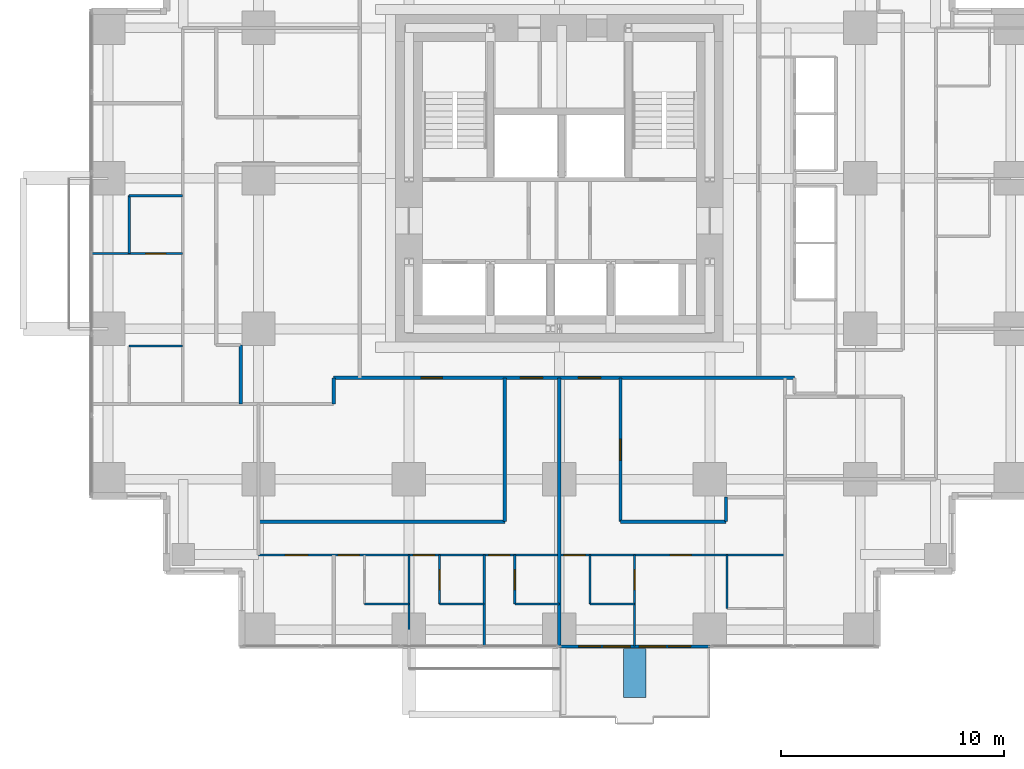
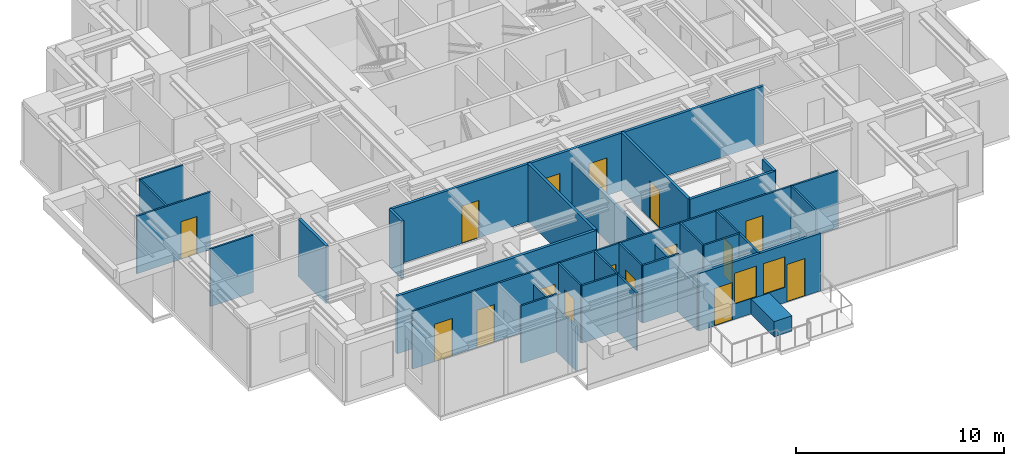
# One storey, part 7 of 12: 27 walls, 16 doors, 2 windows, 18 openings.
"""IFC4 building model written with IfcOpenShell, lengths in metres."""

import ifcopenshell
import ifcopenshell.guid

model = None  # the IFC model being written
_history = None  # IfcOwnerHistory: only IFC2X3 demands one
_inside = {}  # id of a spatial element -> (the spatial element, [elements in it])
_under = {}  # id of a project, library or spatial element -> (it, [spatial elements below it])
_declared = {}  # id of a project -> (the project, [libraries it declares])
_typed = {}  # id of a type object -> (the type object, [elements of that type])
_made_of = {}  # id of a material, layer set ... -> (it, [elements and type objects made of it])


def new_model(schema):
    """Start an empty IFC model of exactly this schema.

    Asked for "IFC4X3", IfcOpenShell would pick the latest addendum, in which some entities
    have other attributes; the version numbers below select the first issue.
    IFC2X3 requires an IfcOwnerHistory on every rooted entity: one is made here for all.
    """
    global model, _history
    if schema == "IFC4X3":
        model = ifcopenshell.file(schema_version=(4, 3, 0, 0))
    else:
        model = ifcopenshell.file(schema=schema)
    _inside.clear()
    _under.clear()
    _declared.clear()
    _typed.clear()
    _made_of.clear()
    _history = None
    if model.schema == "IFC2X3":
        org = make("IfcOrganization", Name="unknown")
        user = make(
            "IfcPersonAndOrganization",
            ThePerson=make("IfcPerson", FamilyName="unknown"),
            TheOrganization=org,
        )
        app = make(
            "IfcApplication",
            ApplicationDeveloper=org,
            Version="unknown",
            ApplicationFullName="unknown",
            ApplicationIdentifier="unknown",
        )
        _history = make(
            "IfcOwnerHistory",
            OwningUser=user,
            OwningApplication=app,
            ChangeAction="ADDED",
            CreationDate=0,
        )
    return model


def make(cls, **values):
    """One entity of the class cls with the attributes given. An attribute that is None is left unset."""
    return model.create_entity(
        cls, **{name: value for name, value in values.items() if value is not None}
    )


def rooted(cls, **values):
    """An entity with a GlobalId (a new one), such as an element, a storey or a relation."""
    return make(cls, GlobalId=ifcopenshell.guid.new(), OwnerHistory=_history, **values)


def si_unit(unit_type, name, prefix=None):
    """IfcSIUnit, for example si_unit("LENGTHUNIT", "METRE", prefix="MILLI")."""
    return make("IfcSIUnit", UnitType=unit_type, Prefix=prefix, Name=name)


def assignment(units):
    """IfcUnitAssignment: the units of a project."""
    return None if units is None else make("IfcUnitAssignment", Units=units)


def point(xyz):
    """IfcCartesianPoint."""
    return None if xyz is None else make("IfcCartesianPoint", Coordinates=xyz)


def direction(xyz):
    """IfcDirection."""
    return None if xyz is None else make("IfcDirection", DirectionRatios=xyz)


def frame(location, z_axis=None, x_axis=None):
    """IfcAxis2Placement3D, a coordinate frame: its origin and axes. An axis left out is left unset."""
    return make(
        "IfcAxis2Placement3D",
        Location=point(location),
        Axis=direction(z_axis),
        RefDirection=direction(x_axis),
    )


def frame_2d(location, x_axis=None):
    """IfcAxis2Placement2D, a coordinate frame in the plane: its origin and x axis."""
    return make(
        "IfcAxis2Placement2D", Location=point(location), RefDirection=direction(x_axis)
    )


def origin():
    """The frame at (0, 0, 0) with its axes left unset."""
    return frame((0.0, 0.0, 0.0))


def place(relative_to, where):
    """IfcLocalPlacement: puts the frame where relative to a parent placement (None: the world)."""
    return make(
        "IfcLocalPlacement", PlacementRelTo=relative_to, RelativePlacement=where
    )


def context(
    kind, dimensions, precision=None, world=None, true_north=None, identifier=None
):
    """IfcGeometricRepresentationContext, for example the 3D "Model" context."""
    return make(
        "IfcGeometricRepresentationContext",
        ContextIdentifier=identifier,
        ContextType=kind,
        CoordinateSpaceDimension=dimensions,
        Precision=precision,
        WorldCoordinateSystem=world,
        TrueNorth=true_north,
    )


def subcontext(parent, identifier, kind, view, scale=None):
    """IfcGeometricRepresentationSubContext, for example "Body" below "Model"."""
    return make(
        "IfcGeometricRepresentationSubContext",
        ContextIdentifier=identifier,
        ContextType=kind,
        ParentContext=parent,
        TargetScale=scale,
        TargetView=view,
    )


def project(units=None, contexts=None):
    """IfcProject with its units and contexts."""
    return rooted(
        "IfcProject",
        Name="project",
        RepresentationContexts=contexts,
        UnitsInContext=assignment(units),
    )


def spatial(cls, under=None, at=None, **own):
    """A site, building, storey or space (cls), placed at a placement, below another one or the project."""
    s = rooted(cls, ObjectPlacement=at, **own)
    if under is not None:
        _under.setdefault(under.id(), (under, []))[1].append(s)
    return s


def profile(cls, at=None, kind="AREA", **sizes):
    """A parametric profile (cls). Its sizes go by their IFC names, for example OverallWidth=200.0."""
    return make(cls, ProfileType=kind, Position=at, **sizes)


def rectangle(**sizes):
    """IfcRectangleProfileDef."""
    return profile("IfcRectangleProfileDef", **sizes)


def extrude(swept, where, along, depth):
    """IfcExtrudedAreaSolid: the profile swept, set in the frame where, extruded along a direction by depth."""
    return make(
        "IfcExtrudedAreaSolid",
        SweptArea=swept,
        Position=where,
        ExtrudedDirection=direction(along),
        Depth=depth,
    )


def shape(context_of_items, identifier, shape_type, items):
    """IfcShapeRepresentation: the items that make up one representation, for example the "Body"."""
    return make(
        "IfcShapeRepresentation",
        ContextOfItems=context_of_items,
        RepresentationIdentifier=identifier,
        RepresentationType=shape_type,
        Items=items,
    )


def material(Name=None, Category=None):
    """IfcMaterial."""
    return make("IfcMaterial", Name=Name, Category=Category)


def layer(
    of_material, thickness, ventilated=None, Name=None, Category=None, Priority=None
):
    """IfcMaterialLayer: one layer of a wall or slab, of a material (None: an air gap)."""
    return make(
        "IfcMaterialLayer",
        Material=of_material,
        LayerThickness=thickness,
        IsVentilated=ventilated,
        Name=Name,
        Category=Category,
        Priority=Priority,
    )


def layer_set(layers, Name=None):
    """IfcMaterialLayerSet."""
    return make("IfcMaterialLayerSet", MaterialLayers=layers, LayerSetName=Name)


def made_of(thing, what):
    """Note that an element or type object is made of a material, layer set ...; save() writes the relation."""
    if what is not None:
        _made_of.setdefault(what.id(), (what, []))[1].append(thing)
    return thing


def type_object(cls, material=None, **own):
    """A type object (cls), such as IfcWallType, which elements share."""
    return made_of(rooted(cls, **own), material)


def element(
    cls,
    number,
    at=None,
    inside=None,
    cuts=None,
    type_object=None,
    material=None,
    context=None,
    identifier="Body",
    shape_type=None,
    held_by="IfcProductDefinitionShape",
    body=None,
    shapes=None,
    **own,
):
    """One element of the class cls, such as IfcWall. Its Tag is "e" and its number.

    at: its placement. inside: the storey or other place that contains it. cuts: it is an
    opening in that element (IfcRelVoidsElement). A single representation is given by context,
    identifier, shape_type and body (its items); several are given by shapes. held_by: the class
    of the entity that holds the representations. save() writes the other relations.
    """
    e = rooted(cls, Tag="e%d" % number, ObjectPlacement=at, **own)
    if body is not None:
        shapes = [shape(context, identifier, shape_type, body)]
    if shapes is not None:
        e.Representation = make(held_by, Representations=shapes)
    if inside is not None:
        _inside.setdefault(inside.id(), (inside, []))[1].append(e)
    if cuts is not None:
        rooted(
            "IfcRelVoidsElement", RelatingBuildingElement=cuts, RelatedOpeningElement=e
        )
    if type_object is not None:
        _typed.setdefault(type_object.id(), (type_object, []))[1].append(e)
    return made_of(e, material)


def fill(opening, filler):
    """IfcRelFillsElement: the door or window that sits in an opening."""
    return rooted(
        "IfcRelFillsElement",
        RelatingOpeningElement=opening,
        RelatedBuildingElement=filler,
    )


def aggregate(whole, parts):
    """IfcRelAggregates: a whole, such as a stair, and the parts it consists of."""
    return rooted("IfcRelAggregates", RelatingObject=whole, RelatedObjects=parts)


def save(model, path):
    """Write the relations noted so far, then the file.

    IfcRelAggregates (storeys below a building ...), IfcRelContainedInSpatialStructure (elements
    in a storey), IfcRelDefinesByType, IfcRelAssociatesMaterial and IfcRelDeclares: one each for
    every whole, place, type object, material and project.
    """
    for whole, parts in _under.values():
        aggregate(whole, parts)
    for where, things in _inside.values():
        rooted(
            "IfcRelContainedInSpatialStructure",
            RelatedElements=things,
            RelatingStructure=where,
        )
    for kind, things in _typed.values():
        rooted("IfcRelDefinesByType", RelatedObjects=things, RelatingType=kind)
    for what, things in _made_of.values():
        rooted("IfcRelAssociatesMaterial", RelatedObjects=things, RelatingMaterial=what)
    for by, libraries in _declared.values():
        rooted("IfcRelDeclares", RelatingContext=by, RelatedDefinitions=libraries)
    model.write(path)


model = new_model("IFC4")

# Units and contexts
model_context = context("Model", 3, precision=1e-05, world=origin(), true_north=direction((0.0, 1.0)))
body_context = subcontext(model_context, "Body", "Model", "MODEL_VIEW")
ifc_project = project(units=[si_unit("LENGTHUNIT", "METRE"), si_unit("AREAUNIT", "SQUARE_METRE"), si_unit("VOLUMEUNIT", "CUBIC_METRE"), si_unit("PLANEANGLEUNIT", "RADIAN"), si_unit("MASSUNIT", "GRAM", prefix="KILO")], contexts=[model_context])

# Site, building, storey
site_placement = place(None, origin())
site = spatial("IfcSite", under=ifc_project, at=site_placement, CompositionType="ELEMENT")
building_placement = place(site_placement, origin())
building = spatial("IfcBuilding", under=site, at=building_placement, Name="Nyansa Garden Tower", CompositionType="ELEMENT")
storey_placement = place(building_placement, frame((0.0, 0.0, 119.699951171875)))
storey = spatial("IfcBuildingStorey", under=building, at=storey_placement, Name="L32", CompositionType="ELEMENT", Elevation=119.699951171875)

# Wall, openings, doors, windows
ifc_material_1 = material(Name="Black aluminium framed glazed screen", Category="aluminium")
ifc_layer_1 = layer(ifc_material_1, 0.14990234375)
ifc_layer_set_1 = layer_set([ifc_layer_1], Name="Balcony screen wall BW150")
wall_type_1 = type_object("IfcWallType", Name="Balcony screen wall BW150", PredefinedType="SOLIDWALL", material=ifc_layer_set_1)
wall_1_placement = place(storey_placement, frame((27.0, -0.75, 0.0), z_axis=(0.0, 0.0, 1.0), x_axis=(-1.0, 0.0, 0.0)))
wall_1 = element("IfcWall", 1, at=wall_1_placement, inside=storey, type_object=wall_type_1, Name="Glazed screen wall L32 S", PredefinedType="SOLIDWALL", context=body_context, shape_type="SweptSolid", body=[
    extrude(rectangle(XDim=6.75, YDim=0.14990234375, at=frame_2d((3.375, 0.0))), origin(), (0.0, 0.0, 1.0), 3.375),
])
opening_1_placement = place(wall_1_placement, frame((0.862548828125, 0.0, 0.0)))
opening_1 = element("IfcOpeningElement", 2, at=opening_1_placement, cuts=wall_1, Name="Opening D20", PredefinedType="OPENING", context=body_context, shape_type="SweptSolid", body=[
    extrude(rectangle(XDim=1.0, YDim=2.199951171875, at=frame_2d((0.5, 1.10009765625))), frame((0.0, 0.0849609375, 0.0), z_axis=(0.0, -1.0, 0.0), x_axis=(1.0, 0.0, 0.0)), (0.0, 0.0, 1.0), 0.169921875),
])
opening_2_placement = place(wall_1_placement, frame((1.97509765625, 0.0, 0.89990234375)))
opening_2 = element("IfcOpeningElement", 3, at=opening_2_placement, cuts=wall_1, Name="Opening W6", PredefinedType="OPENING", context=body_context, shape_type="SweptSolid", body=[
    extrude(rectangle(XDim=1.199951171875, YDim=1.800048828125, at=frame_2d((0.60009765625, 0.89990234375))), frame((0.0, 0.0849609375, 0.0), z_axis=(0.0, -1.0, 0.0), x_axis=(1.0, 0.0, 0.0)), (0.0, 0.0, 1.0), 0.169921875),
])
opening_3_placement = place(wall_1_placement, frame((4.887451171875, 0.0, 0.0)))
opening_3 = element("IfcOpeningElement", 4, at=opening_3_placement, cuts=wall_1, Name="Opening D20", PredefinedType="OPENING", context=body_context, shape_type="SweptSolid", body=[
    extrude(rectangle(XDim=1.0, YDim=2.199951171875, at=frame_2d((0.5, 1.10009765625))), frame((0.0, 0.0849609375, 0.0), z_axis=(0.0, -1.0, 0.0), x_axis=(1.0, 0.0, 0.0)), (0.0, 0.0, 1.0), 0.169921875),
])
opening_4_placement = place(wall_1_placement, frame((3.574951171875, 0.0, 0.89990234375)))
opening_4 = element("IfcOpeningElement", 5, at=opening_4_placement, cuts=wall_1, Name="Opening W6", PredefinedType="OPENING", context=body_context, shape_type="SweptSolid", body=[
    extrude(rectangle(XDim=1.199951171875, YDim=1.800048828125, at=frame_2d((0.60009765625, 0.89990234375))), frame((0.0, 0.0849609375, 0.0), z_axis=(0.0, -1.0, 0.0), x_axis=(1.0, 0.0, 0.0)), (0.0, 0.0, 1.0), 0.169921875),
])
ifc_material_2 = material(Name="Black aluminium framed glazed door", Category="aluminium")
door_type_1 = type_object("IfcDoorType", Name="Balcony door D20 1000x2200", OperationType="NOTDEFINED", PredefinedType="DOOR", material=ifc_material_2)
door_1_placement = place(opening_1_placement, origin())
door_1 = element("IfcDoor", 6, at=door_1_placement, inside=storey, type_object=door_type_1, Name="Balcony door L32", OperationType="SINGLE_SWING_LEFT", OverallHeight=2.199951171875, OverallWidth=1.0, PredefinedType="DOOR", context=body_context, shape_type="SweptSolid", body=[
    extrude(rectangle(XDim=1.0, YDim=2.199951171875, at=frame_2d((0.5, 1.10009765625))), frame((0.0, 0.02490234375, 0.0), z_axis=(0.0, -1.0, 0.0), x_axis=(1.0, 0.0, 0.0)), (0.0, 0.0, 1.0), 0.050048828125),
])
fill(opening_1, door_1)
door_2_placement = place(opening_3_placement, origin())
door_2 = element("IfcDoor", 7, at=door_2_placement, inside=storey, type_object=door_type_1, Name="Balcony door L32", OperationType="SINGLE_SWING_RIGHT", OverallHeight=2.199951171875, OverallWidth=1.0, PredefinedType="DOOR", context=body_context, shape_type="SweptSolid", body=[
    extrude(rectangle(XDim=1.0, YDim=2.199951171875, at=frame_2d((0.5, 1.10009765625))), frame((0.0, 0.02490234375, 0.0), z_axis=(0.0, -1.0, 0.0), x_axis=(1.0, 0.0, 0.0)), (0.0, 0.0, 1.0), 0.050048828125),
])
fill(opening_3, door_2)
ifc_material_3 = material(Name="Black aluminium frame, dark tinted double glazing", Category="aluminium")
window_type = type_object("IfcWindowType", Name="Balcony window W6 1200x1800", PartitioningType="SINGLE_PANEL", PredefinedType="WINDOW", material=ifc_material_3)
window_1_placement = place(opening_2_placement, origin())
window_1 = element("IfcWindow", 8, at=window_1_placement, inside=storey, type_object=window_type, Name="Window L32", OverallHeight=1.800048828125, OverallWidth=1.199951171875, PartitioningType="SINGLE_PANEL", PredefinedType="WINDOW", context=body_context, shape_type="SweptSolid", body=[
    extrude(rectangle(XDim=1.199951171875, YDim=1.800048828125, at=frame_2d((0.60009765625, 0.89990234375))), frame((0.0, 0.030029296875, 0.0), z_axis=(0.0, -1.0, 0.0), x_axis=(1.0, 0.0, 0.0)), (0.0, 0.0, 1.0), 0.06005859375),
])
fill(opening_2, window_1)
window_2_placement = place(opening_4_placement, origin())
window_2 = element("IfcWindow", 9, at=window_2_placement, inside=storey, type_object=window_type, Name="Window L32", OverallHeight=1.800048828125, OverallWidth=1.199951171875, PartitioningType="SINGLE_PANEL", PredefinedType="WINDOW", context=body_context, shape_type="SweptSolid", body=[
    extrude(rectangle(XDim=1.199951171875, YDim=1.800048828125, at=frame_2d((0.60009765625, 0.89990234375))), frame((0.0, 0.030029296875, 0.0), z_axis=(0.0, -1.0, 0.0), x_axis=(1.0, 0.0, 0.0)), (0.0, 0.0, 1.0), 0.06005859375),
])
fill(opening_4, window_2)

# Walls
ifc_material_4 = material(Name="Blockwork, plastered both sides", Category="masonry")
ifc_layer_2 = layer(ifc_material_4, 0.14990234375)
ifc_layer_set_2 = layer_set([ifc_layer_2], Name="Partition PW150")
wall_type_2 = type_object("IfcWallType", Name="Partition PW150", PredefinedType="PARTITIONING", material=ifc_layer_set_2)
wall_2_placement = place(storey_placement, frame((5.949951171875, 10.125, 0.0), z_axis=(0.0, 0.0, 1.0), x_axis=(0.0, 1.0, 0.0)))
element("IfcWall", 10, at=wall_2_placement, inside=storey, type_object=wall_type_2, Name="Partition", PredefinedType="PARTITIONING", context=body_context, shape_type="SweptSolid", body=[
    extrude(rectangle(XDim=2.64990234375, YDim=0.14990234375, at=frame_2d((1.324951171875, 0.0))), origin(), (0.0, 0.0, 1.0), 3.375),
])
wall_3_placement = place(storey_placement, frame((6.75, 4.85009765625, 0.0), z_axis=(0.0, 0.0, 1.0), x_axis=(1.0, 0.0, 0.0)))
element("IfcWall", 11, at=wall_3_placement, inside=storey, type_object=wall_type_2, Name="Partition", PredefinedType="PARTITIONING", context=body_context, shape_type="SweptSolid", body=[
    extrude(rectangle(XDim=11.050048828125, YDim=0.14990234375, at=frame_2d((5.52490234375, 0.0))), origin(), (0.0, 0.0, 1.0), 3.375),
])
wall_4_placement = place(storey_placement, frame((10.125, 10.125, 0.0), z_axis=(0.0, 0.0, 1.0), x_axis=(0.0, 1.0, 0.0)))
element("IfcWall", 12, at=wall_4_placement, inside=storey, type_object=wall_type_2, Name="Partition", PredefinedType="PARTITIONING", context=body_context, shape_type="SweptSolid", body=[
    extrude(rectangle(XDim=1.175048828125, YDim=0.14990234375, at=frame_2d((0.58740234375, 0.0))), origin(), (0.0, 0.0, 1.0), 3.375),
])

# Wall, openings, doors
wall_5_placement = place(storey_placement, frame((10.125, 11.300048828125, 0.0), z_axis=(0.0, 0.0, 1.0), x_axis=(1.0, 0.0, 0.0)))
wall_5 = element("IfcWall", 13, at=wall_5_placement, inside=storey, type_object=wall_type_2, Name="Partition", PredefinedType="PARTITIONING", context=body_context, shape_type="SweptSolid", body=[
    extrude(rectangle(XDim=20.675048828125, YDim=0.14990234375, at=frame_2d((10.33740234375, 0.0))), origin(), (0.0, 0.0, 1.0), 3.375),
])
opening_5_placement = place(wall_5_placement, frame((8.375, 0.0, 0.0)))
opening_5 = element("IfcOpeningElement", 14, at=opening_5_placement, cuts=wall_5, Name="Opening D03", PredefinedType="OPENING", context=body_context, shape_type="SweptSolid", body=[
    extrude(rectangle(XDim=1.0, YDim=2.199951171875, at=frame_2d((0.5, 1.10009765625))), frame((0.0, 0.0849609375, 0.0), z_axis=(0.0, -1.0, 0.0), x_axis=(1.0, 0.0, 0.0)), (0.0, 0.0, 1.0), 0.169921875),
])
opening_6_placement = place(wall_5_placement, frame((10.97509765625, 0.0, 0.0)))
opening_6 = element("IfcOpeningElement", 15, at=opening_6_placement, cuts=wall_5, Name="Opening D03", PredefinedType="OPENING", context=body_context, shape_type="SweptSolid", body=[
    extrude(rectangle(XDim=1.0, YDim=2.199951171875, at=frame_2d((0.5, 1.10009765625))), frame((0.0, 0.0849609375, 0.0), z_axis=(0.0, -1.0, 0.0), x_axis=(1.0, 0.0, 0.0)), (0.0, 0.0, 1.0), 0.169921875),
])
opening_7_placement = place(wall_5_placement, frame((3.925048828125, 0.0, 0.0)))
opening_7 = element("IfcOpeningElement", 16, at=opening_7_placement, cuts=wall_5, Name="Opening D01", PredefinedType="OPENING", context=body_context, shape_type="SweptSolid", body=[
    extrude(rectangle(XDim=0.949951171875, YDim=2.199951171875, at=frame_2d((0.47509765625, 1.10009765625))), frame((0.0, 0.0849609375, 0.0), z_axis=(0.0, -1.0, 0.0), x_axis=(1.0, 0.0, 0.0)), (0.0, 0.0, 1.0), 0.169921875),
])
ifc_material_5 = material(Name="Timber flush door, 30 minute fire resisting", Category="wood")
door_type_2 = type_object("IfcDoorType", Name="Bedroom door D01 950x2200", OperationType="SINGLE_SWING_LEFT", PredefinedType="DOOR", material=ifc_material_5)
door_3_placement = place(opening_7_placement, origin())
door_3 = element("IfcDoor", 17, at=door_3_placement, inside=storey, type_object=door_type_2, Name="Door L32-030", OperationType="SINGLE_SWING_LEFT", OverallHeight=2.199951171875, OverallWidth=0.949951171875, PredefinedType="DOOR", context=body_context, shape_type="SweptSolid", body=[
    extrude(rectangle(XDim=0.949951171875, YDim=2.199951171875, at=frame_2d((0.47509765625, 1.10009765625))), frame((0.0, 0.02490234375, 0.0), z_axis=(0.0, -1.0, 0.0), x_axis=(1.0, 0.0, 0.0)), (0.0, 0.0, 1.0), 0.050048828125),
])
fill(opening_7, door_3)
ifc_material_6 = material(Name="Timber flush door, 60 minute fire resisting", Category="wood")
door_type_3 = type_object("IfcDoorType", Name="Cluster entrance door D03 1000x2200", OperationType="SINGLE_SWING_LEFT", PredefinedType="DOOR", material=ifc_material_6)
door_4_placement = place(opening_5_placement, origin())
door_4 = element("IfcDoor", 18, at=door_4_placement, inside=storey, type_object=door_type_3, Name="Door L32-024", OperationType="SINGLE_SWING_LEFT", OverallHeight=2.199951171875, OverallWidth=1.0, PredefinedType="DOOR", context=body_context, shape_type="SweptSolid", body=[
    extrude(rectangle(XDim=1.0, YDim=2.199951171875, at=frame_2d((0.5, 1.10009765625))), frame((0.0, 0.02490234375, 0.0), z_axis=(0.0, -1.0, 0.0), x_axis=(1.0, 0.0, 0.0)), (0.0, 0.0, 1.0), 0.050048828125),
])
fill(opening_5, door_4)
door_5_placement = place(opening_6_placement, origin())
door_5 = element("IfcDoor", 19, at=door_5_placement, inside=storey, type_object=door_type_3, Name="Door L32-029", OperationType="SINGLE_SWING_LEFT", OverallHeight=2.199951171875, OverallWidth=1.0, PredefinedType="DOOR", context=body_context, shape_type="SweptSolid", body=[
    extrude(rectangle(XDim=1.0, YDim=2.199951171875, at=frame_2d((0.5, 1.10009765625))), frame((0.0, 0.02490234375, 0.0), z_axis=(0.0, -1.0, 0.0), x_axis=(1.0, 0.0, 0.0)), (0.0, 0.0, 1.0), 0.050048828125),
])
fill(opening_6, door_5)

# Walls
wall_6_placement = place(storey_placement, frame((17.800048828125, 4.85009765625, 0.0), z_axis=(0.0, 0.0, 1.0), x_axis=(0.0, 1.0, 0.0)))
element("IfcWall", 20, at=wall_6_placement, inside=storey, type_object=wall_type_2, Name="Partition", PredefinedType="PARTITIONING", context=body_context, shape_type="SweptSolid", body=[
    extrude(rectangle(XDim=6.449951171875, YDim=0.14990234375, at=frame_2d((3.22509765625, 0.0))), origin(), (0.0, 0.0, 1.0), 3.375),
])
wall_7_placement = place(storey_placement, frame((20.25, -0.73388671875, 0.0), z_axis=(0.0, 0.0, 1.0), x_axis=(0.0, 1.0, 0.0)))
element("IfcWall", 21, at=wall_7_placement, inside=storey, type_object=wall_type_2, Name="Partition", PredefinedType="PARTITIONING", context=body_context, shape_type="SweptSolid", body=[
    extrude(rectangle(XDim=12.033935546875, YDim=0.14990234375, at=frame_2d((6.01708984375, 0.0))), origin(), (0.0, 0.0, 1.0), 2.610107421875),
])
wall_8_placement = place(storey_placement, frame((22.987548828125, 4.85009765625, 0.0), z_axis=(0.0, 0.0, 1.0), x_axis=(1.0, 0.0, 0.0)))
element("IfcWall", 22, at=wall_8_placement, inside=storey, type_object=wall_type_2, Name="Partition", PredefinedType="PARTITIONING", context=body_context, shape_type="SweptSolid", body=[
    extrude(rectangle(XDim=4.737548828125, YDim=0.14990234375, at=frame_2d((2.36865234375, 0.0))), origin(), (0.0, 0.0, 1.0), 3.375),
])

# Wall, opening, door
wall_9_placement = place(storey_placement, frame((22.988037109375, 4.85009765625, 0.0), z_axis=(0.0, 0.0, 1.0), x_axis=(0.0, 1.0, 0.0)))
wall_9 = element("IfcWall", 23, at=wall_9_placement, inside=storey, type_object=wall_type_2, Name="Partition", PredefinedType="PARTITIONING", context=body_context, shape_type="SweptSolid", body=[
    extrude(rectangle(XDim=6.449951171875, YDim=0.14990234375, at=frame_2d((3.22509765625, 0.0))), origin(), (0.0, 0.0, 1.0), 3.375),
])
opening_8_placement = place(wall_9_placement, frame((2.75, 0.0, 0.0)))
opening_8 = element("IfcOpeningElement", 24, at=opening_8_placement, cuts=wall_9, Name="Opening D01", PredefinedType="OPENING", context=body_context, shape_type="SweptSolid", body=[
    extrude(rectangle(XDim=0.949951171875, YDim=2.199951171875, at=frame_2d((0.47509765625, 1.10009765625))), frame((0.0, 0.0849609375, 0.0), z_axis=(0.0, -1.0, 0.0), x_axis=(1.0, 0.0, 0.0)), (0.0, 0.0, 1.0), 0.169921875),
])
door_6_placement = place(opening_8_placement, origin())
door_6 = element("IfcDoor", 25, at=door_6_placement, inside=storey, type_object=door_type_2, Name="Door L32-031", OperationType="SINGLE_SWING_LEFT", OverallHeight=2.199951171875, OverallWidth=0.949951171875, PredefinedType="DOOR", context=body_context, shape_type="SweptSolid", body=[
    extrude(rectangle(XDim=0.949951171875, YDim=2.199951171875, at=frame_2d((0.47509765625, 1.10009765625))), frame((0.0, 0.02490234375, 0.0), z_axis=(0.0, -1.0, 0.0), x_axis=(1.0, 0.0, 0.0)), (0.0, 0.0, 1.0), 0.050048828125),
])
fill(opening_8, door_6)

# Walls
wall_10_placement = place(storey_placement, frame((27.72509765625, 4.85009765625, 0.0), z_axis=(0.0, 0.0, 1.0), x_axis=(0.0, 1.0, 0.0)))
element("IfcWall", 26, at=wall_10_placement, inside=storey, type_object=wall_type_2, Name="Partition", PredefinedType="PARTITIONING", context=body_context, shape_type="SweptSolid", body=[
    extrude(rectangle(XDim=1.099853515625, YDim=0.14990234375, at=frame_2d((0.5498046875, 0.0))), origin(), (0.0, 0.0, 1.0), 3.375),
])
ifc_material_7 = material(Name="Concrete C40/50 planter, waterproofed", Category="concrete")
ifc_layer_3 = layer(ifc_material_7, 1.0)
ifc_layer_set_3 = layer_set([ifc_layer_3], Name="Tree planter TP1")
wall_type_3 = type_object("IfcWallType", Name="Tree planter TP1", PredefinedType="USERDEFINED", material=ifc_layer_set_3)
wall_11_placement = place(storey_placement, frame((23.625, -0.85009765625, 0.0), z_axis=(0.0, 0.0, 1.0), x_axis=(0.0, -1.0, 0.0)))
element("IfcWall", 27, at=wall_11_placement, inside=storey, type_object=wall_type_3, Name="Tree planter L32", ObjectType="TREE PLANTER", PredefinedType="USERDEFINED", context=body_context, shape_type="SweptSolid", body=[
    extrude(rectangle(XDim=2.199951171875, YDim=1.0, at=frame_2d((1.10009765625, 0.0))), origin(), (0.0, 0.0, 1.0), 0.900146484375),
])

# Wall, opening, door
ifc_material_8 = material(Name="Moisture resistant board on steel studs, tiled", Category="steel")
ifc_layer_4 = layer(ifc_material_8, 0.10009765625)
ifc_layer_set_4 = layer_set([ifc_layer_4], Name="Wet wall PW100")
wall_type_4 = type_object("IfcWallType", Name="Wet wall PW100", PredefinedType="PARTITIONING", material=ifc_layer_set_4)
wall_12_placement = place(storey_placement, frame((-0.73388671875, 16.875, 0.0), z_axis=(0.0, 0.0, 1.0), x_axis=(1.0, 0.0, 0.0)))
wall_12 = element("IfcWall", 28, at=wall_12_placement, inside=storey, type_object=wall_type_4, Name="Wet wall", PredefinedType="PARTITIONING", context=body_context, shape_type="SweptSolid", body=[
    extrude(rectangle(XDim=4.083984375, YDim=0.10009765625, at=frame_2d((2.0419921875, 0.0))), origin(), (0.0, 0.0, 1.0), 3.375),
])
opening_9_placement = place(wall_12_placement, frame((2.43408203125, 0.0, 0.0)))
opening_9 = element("IfcOpeningElement", 29, at=opening_9_placement, cuts=wall_12, Name="Opening D02", PredefinedType="OPENING", context=body_context, shape_type="SweptSolid", body=[
    extrude(rectangle(XDim=0.89990234375, YDim=2.199951171875, at=frame_2d((0.449951171875, 1.10009765625))), frame((0.0, 0.06005859375, 0.0), z_axis=(0.0, -1.0, 0.0), x_axis=(1.0, 0.0, 0.0)), (0.0, 0.0, 1.0), 0.1201171875),
])
ifc_material_9 = material(Name="Timber flush door", Category="wood")
door_type_4 = type_object("IfcDoorType", Name="En-suite door D02 900x2200", OperationType="SINGLE_SWING_RIGHT", PredefinedType="DOOR", material=ifc_material_9)
door_7_placement = place(opening_9_placement, origin())
door_7 = element("IfcDoor", 30, at=door_7_placement, inside=storey, type_object=door_type_4, Name="Door L32-058", OperationType="SINGLE_SWING_RIGHT", OverallHeight=2.199951171875, OverallWidth=0.89990234375, PredefinedType="DOOR", context=body_context, shape_type="SweptSolid", body=[
    extrude(rectangle(XDim=0.89990234375, YDim=2.199951171875, at=frame_2d((0.449951171875, 1.10009765625))), frame((0.0, 0.02490234375, 0.0), z_axis=(0.0, -1.0, 0.0), x_axis=(1.0, 0.0, 0.0)), (0.0, 0.0, 1.0), 0.050048828125),
])
fill(opening_9, door_7)

# Walls
wall_13_placement = place(storey_placement, frame((0.949951171875, 12.72509765625, 0.0), z_axis=(0.0, 0.0, 1.0), x_axis=(1.0, 0.0, 0.0)))
element("IfcWall", 31, at=wall_13_placement, inside=storey, type_object=wall_type_4, Name="Wet wall", PredefinedType="PARTITIONING", context=body_context, shape_type="SweptSolid", body=[
    extrude(rectangle(XDim=2.400146484375, YDim=0.10009765625, at=frame_2d((1.2001953125, 0.0))), origin(), (0.0, 0.0, 1.0), 3.375),
])
wall_14_placement = place(storey_placement, frame((0.949951171875, 16.875, 0.0), z_axis=(0.0, 0.0, 1.0), x_axis=(0.0, 1.0, 0.0)))
element("IfcWall", 32, at=wall_14_placement, inside=storey, type_object=wall_type_4, Name="Wet wall", PredefinedType="PARTITIONING", context=body_context, shape_type="SweptSolid", body=[
    extrude(rectangle(XDim=2.60009765625, YDim=0.10009765625, at=frame_2d((1.300048828125, 0.0))), origin(), (0.0, 0.0, 1.0), 3.375),
])
wall_15_placement = place(storey_placement, frame((0.949951171875, 19.47509765625, 0.0), z_axis=(0.0, 0.0, 1.0), x_axis=(1.0, 0.0, 0.0)))
element("IfcWall", 33, at=wall_15_placement, inside=storey, type_object=wall_type_4, Name="Wet wall", PredefinedType="PARTITIONING", context=body_context, shape_type="SweptSolid", body=[
    extrude(rectangle(XDim=2.400146484375, YDim=0.10009765625, at=frame_2d((1.2001953125, 0.0))), origin(), (0.0, 0.0, 1.0), 3.375),
])

# Wall, openings, doors
wall_16_placement = place(storey_placement, frame((6.75, 3.35009765625, 0.0), z_axis=(0.0, 0.0, 1.0), x_axis=(1.0, 0.0, 0.0)))
wall_16 = element("IfcWall", 34, at=wall_16_placement, inside=storey, type_object=wall_type_4, Name="Wet wall", PredefinedType="PARTITIONING", context=body_context, shape_type="SweptSolid", body=[
    extrude(rectangle(XDim=23.625, YDim=0.10009765625, at=frame_2d((11.8125, 0.0))), origin(), (0.0, 0.0, 1.0), 3.375),
])
opening_10_placement = place(wall_16_placement, frame((1.199951171875, 0.0, 0.0)))
opening_10 = element("IfcOpeningElement", 35, at=opening_10_placement, cuts=wall_16, Name="Opening D03", PredefinedType="OPENING", context=body_context, shape_type="SweptSolid", body=[
    extrude(rectangle(XDim=1.0, YDim=2.199951171875, at=frame_2d((0.5, 1.10009765625))), frame((0.0, 0.06005859375, 0.0), z_axis=(0.0, -1.0, 0.0), x_axis=(1.0, 0.0, 0.0)), (0.0, 0.0, 1.0), 0.1201171875),
])
opening_11_placement = place(wall_16_placement, frame((3.574951171875, 0.0, 0.0)))
opening_11 = element("IfcOpeningElement", 36, at=opening_11_placement, cuts=wall_16, Name="Opening D01", PredefinedType="OPENING", context=body_context, shape_type="SweptSolid", body=[
    extrude(rectangle(XDim=0.949951171875, YDim=2.199951171875, at=frame_2d((0.47509765625, 1.10009765625))), frame((0.0, 0.06005859375, 0.0), z_axis=(0.0, -1.0, 0.0), x_axis=(1.0, 0.0, 0.0)), (0.0, 0.0, 1.0), 0.1201171875),
])
opening_12_placement = place(wall_16_placement, frame((6.949951171875, 0.0, 0.0)))
opening_12 = element("IfcOpeningElement", 37, at=opening_12_placement, cuts=wall_16, Name="Opening D01", PredefinedType="OPENING", context=body_context, shape_type="SweptSolid", body=[
    extrude(rectangle(XDim=0.949951171875, YDim=2.199951171875, at=frame_2d((0.47509765625, 1.10009765625))), frame((0.0, 0.06005859375, 0.0), z_axis=(0.0, -1.0, 0.0), x_axis=(1.0, 0.0, 0.0)), (0.0, 0.0, 1.0), 0.1201171875),
])
opening_13_placement = place(wall_16_placement, frame((10.324951171875, 0.0, 0.0)))
opening_13 = element("IfcOpeningElement", 38, at=opening_13_placement, cuts=wall_16, Name="Opening D01", PredefinedType="OPENING", context=body_context, shape_type="SweptSolid", body=[
    extrude(rectangle(XDim=0.949951171875, YDim=2.199951171875, at=frame_2d((0.47509765625, 1.10009765625))), frame((0.0, 0.06005859375, 0.0), z_axis=(0.0, -1.0, 0.0), x_axis=(1.0, 0.0, 0.0)), (0.0, 0.0, 1.0), 0.1201171875),
])
opening_14_placement = place(wall_16_placement, frame((18.47509765625, 0.0, 0.0)))
opening_14 = element("IfcOpeningElement", 39, at=opening_14_placement, cuts=wall_16, Name="Opening D14", PredefinedType="OPENING", context=body_context, shape_type="SweptSolid", body=[
    extrude(rectangle(XDim=0.949951171875, YDim=2.199951171875, at=frame_2d((0.47509765625, 1.10009765625))), frame((0.0, 0.06005859375, 0.0), z_axis=(0.0, -1.0, 0.0), x_axis=(1.0, 0.0, 0.0)), (0.0, 0.0, 1.0), 0.1201171875),
])
opening_15_placement = place(wall_16_placement, frame((13.699951171875, 0.0, 0.0)))
opening_15 = element("IfcOpeningElement", 40, at=opening_15_placement, cuts=wall_16, Name="Opening D14", PredefinedType="OPENING", context=body_context, shape_type="SweptSolid", body=[
    extrude(rectangle(XDim=0.949951171875, YDim=2.199951171875, at=frame_2d((0.47509765625, 1.10009765625))), frame((0.0, 0.06005859375, 0.0), z_axis=(0.0, -1.0, 0.0), x_axis=(1.0, 0.0, 0.0)), (0.0, 0.0, 1.0), 0.1201171875),
])
door_8_placement = place(opening_11_placement, origin())
door_8 = element("IfcDoor", 41, at=door_8_placement, inside=storey, type_object=door_type_2, Name="Door L32-018", OperationType="SINGLE_SWING_LEFT", OverallHeight=2.199951171875, OverallWidth=0.949951171875, PredefinedType="DOOR", context=body_context, shape_type="SweptSolid", body=[
    extrude(rectangle(XDim=0.949951171875, YDim=2.199951171875, at=frame_2d((0.47509765625, 1.10009765625))), frame((0.0, 0.02490234375, 0.0), z_axis=(0.0, -1.0, 0.0), x_axis=(1.0, 0.0, 0.0)), (0.0, 0.0, 1.0), 0.050048828125),
])
fill(opening_11, door_8)
door_9_placement = place(opening_12_placement, origin())
door_9 = element("IfcDoor", 42, at=door_9_placement, inside=storey, type_object=door_type_2, Name="Door L32-020", OperationType="SINGLE_SWING_LEFT", OverallHeight=2.199951171875, OverallWidth=0.949951171875, PredefinedType="DOOR", context=body_context, shape_type="SweptSolid", body=[
    extrude(rectangle(XDim=0.949951171875, YDim=2.199951171875, at=frame_2d((0.47509765625, 1.10009765625))), frame((0.0, 0.02490234375, 0.0), z_axis=(0.0, -1.0, 0.0), x_axis=(1.0, 0.0, 0.0)), (0.0, 0.0, 1.0), 0.050048828125),
])
fill(opening_12, door_9)
door_10_placement = place(opening_13_placement, origin())
door_10 = element("IfcDoor", 43, at=door_10_placement, inside=storey, type_object=door_type_2, Name="Door L32-022", OperationType="SINGLE_SWING_LEFT", OverallHeight=2.199951171875, OverallWidth=0.949951171875, PredefinedType="DOOR", context=body_context, shape_type="SweptSolid", body=[
    extrude(rectangle(XDim=0.949951171875, YDim=2.199951171875, at=frame_2d((0.47509765625, 1.10009765625))), frame((0.0, 0.02490234375, 0.0), z_axis=(0.0, -1.0, 0.0), x_axis=(1.0, 0.0, 0.0)), (0.0, 0.0, 1.0), 0.050048828125),
])
fill(opening_13, door_10)
door_11_placement = place(opening_10_placement, origin())
door_11 = element("IfcDoor", 44, at=door_11_placement, inside=storey, type_object=door_type_3, Name="Door L32-017", OperationType="SINGLE_SWING_LEFT", OverallHeight=2.199951171875, OverallWidth=1.0, PredefinedType="DOOR", context=body_context, shape_type="SweptSolid", body=[
    extrude(rectangle(XDim=1.0, YDim=2.199951171875, at=frame_2d((0.5, 1.10009765625))), frame((0.0, 0.02490234375, 0.0), z_axis=(0.0, -1.0, 0.0), x_axis=(1.0, 0.0, 0.0)), (0.0, 0.0, 1.0), 0.050048828125),
])
fill(opening_10, door_11)
ifc_material_10 = material(Name="Timber flush door, 60 minute fire resisting, self-closing", Category="wood")
door_type_5 = type_object("IfcDoorType", Name="Studio entrance door D14 950x2200", OperationType="SINGLE_SWING_LEFT", PredefinedType="DOOR", material=ifc_material_10)
door_12_placement = place(opening_14_placement, origin())
door_12 = element("IfcDoor", 45, at=door_12_placement, inside=storey, type_object=door_type_5, Name="Door L32-025", OperationType="SINGLE_SWING_LEFT", OverallHeight=2.199951171875, OverallWidth=0.949951171875, PredefinedType="DOOR", context=body_context, shape_type="SweptSolid", body=[
    extrude(rectangle(XDim=0.949951171875, YDim=2.199951171875, at=frame_2d((0.47509765625, 1.10009765625))), frame((0.0, 0.02490234375, 0.0), z_axis=(0.0, -1.0, 0.0), x_axis=(1.0, 0.0, 0.0)), (0.0, 0.0, 1.0), 0.050048828125),
])
fill(opening_14, door_12)
door_13_placement = place(opening_15_placement, origin())
door_13 = element("IfcDoor", 46, at=door_13_placement, inside=storey, type_object=door_type_5, Name="Door L32-027", OperationType="SINGLE_SWING_LEFT", OverallHeight=2.199951171875, OverallWidth=0.949951171875, PredefinedType="DOOR", context=body_context, shape_type="SweptSolid", body=[
    extrude(rectangle(XDim=0.949951171875, YDim=2.199951171875, at=frame_2d((0.47509765625, 1.10009765625))), frame((0.0, 0.02490234375, 0.0), z_axis=(0.0, -1.0, 0.0), x_axis=(1.0, 0.0, 0.0)), (0.0, 0.0, 1.0), 0.050048828125),
])
fill(opening_15, door_13)

# Walls
wall_17_placement = place(storey_placement, frame((11.5, 1.14990234375, 0.0), z_axis=(0.0, 0.0, 1.0), x_axis=(1.0, 0.0, 0.0)))
element("IfcWall", 47, at=wall_17_placement, inside=storey, type_object=wall_type_4, Name="Wet wall", PredefinedType="PARTITIONING", context=body_context, shape_type="SweptSolid", body=[
    extrude(rectangle(XDim=2.0, YDim=0.10009765625, at=frame_2d((1.0, 0.0))), origin(), (0.0, 0.0, 1.0), 3.375),
])
wall_18_placement = place(storey_placement, frame((13.5, -0.73388671875, 0.0), z_axis=(0.0, 0.0, 1.0), x_axis=(0.0, 1.0, 0.0)))
element("IfcWall", 48, at=wall_18_placement, inside=storey, type_object=wall_type_4, Name="Wet wall", PredefinedType="PARTITIONING", context=body_context, shape_type="SweptSolid", body=[
    extrude(rectangle(XDim=4.083984375, YDim=0.10009765625, at=frame_2d((2.0419921875, 0.0))), origin(), (0.0, 0.0, 1.0), 2.610107421875),
])

# Wall, opening, door
wall_19_placement = place(storey_placement, frame((14.875, 1.14990234375, 0.0), z_axis=(0.0, 0.0, 1.0), x_axis=(0.0, 1.0, 0.0)))
wall_19 = element("IfcWall", 49, at=wall_19_placement, inside=storey, type_object=wall_type_4, Name="Wet wall", PredefinedType="PARTITIONING", context=body_context, shape_type="SweptSolid", body=[
    extrude(rectangle(XDim=2.2001953125, YDim=0.10009765625, at=frame_2d((1.10009765625, 0.0))), origin(), (0.0, 0.0, 1.0), 3.375),
])
opening_16_placement = place(wall_19_placement, frame((0.64990234375, 0.0, 0.0)))
opening_16 = element("IfcOpeningElement", 50, at=opening_16_placement, cuts=wall_19, Name="Opening D02", PredefinedType="OPENING", context=body_context, shape_type="SweptSolid", body=[
    extrude(rectangle(XDim=0.89990234375, YDim=2.199951171875, at=frame_2d((0.449951171875, 1.10009765625))), frame((0.0, 0.06005859375, 0.0), z_axis=(0.0, -1.0, 0.0), x_axis=(1.0, 0.0, 0.0)), (0.0, 0.0, 1.0), 0.1201171875),
])
door_14_placement = place(opening_16_placement, origin())
door_14 = element("IfcDoor", 51, at=door_14_placement, inside=storey, type_object=door_type_4, Name="Door L32-021", OperationType="SINGLE_SWING_RIGHT", OverallHeight=2.199951171875, OverallWidth=0.89990234375, PredefinedType="DOOR", context=body_context, shape_type="SweptSolid", body=[
    extrude(rectangle(XDim=0.89990234375, YDim=2.199951171875, at=frame_2d((0.449951171875, 1.10009765625))), frame((0.0, 0.02490234375, 0.0), z_axis=(0.0, -1.0, 0.0), x_axis=(1.0, 0.0, 0.0)), (0.0, 0.0, 1.0), 0.050048828125),
])
fill(opening_16, door_14)

# Walls
wall_20_placement = place(storey_placement, frame((14.875, 1.14990234375, 0.0), z_axis=(0.0, 0.0, 1.0), x_axis=(1.0, 0.0, 0.0)))
element("IfcWall", 52, at=wall_20_placement, inside=storey, type_object=wall_type_4, Name="Wet wall", PredefinedType="PARTITIONING", context=body_context, shape_type="SweptSolid", body=[
    extrude(rectangle(XDim=2.0, YDim=0.10009765625, at=frame_2d((1.0, 0.0))), origin(), (0.0, 0.0, 1.0), 3.375),
])
wall_21_placement = place(storey_placement, frame((16.875, -0.73388671875, 0.0), z_axis=(0.0, 0.0, 1.0), x_axis=(0.0, 1.0, 0.0)))
element("IfcWall", 53, at=wall_21_placement, inside=storey, type_object=wall_type_4, Name="Wet wall", PredefinedType="PARTITIONING", context=body_context, shape_type="SweptSolid", body=[
    extrude(rectangle(XDim=4.083984375, YDim=0.10009765625, at=frame_2d((2.0419921875, 0.0))), origin(), (0.0, 0.0, 1.0), 3.375),
])

# Wall, opening, door
wall_22_placement = place(storey_placement, frame((18.25, 1.14990234375, 0.0), z_axis=(0.0, 0.0, 1.0), x_axis=(0.0, 1.0, 0.0)))
wall_22 = element("IfcWall", 54, at=wall_22_placement, inside=storey, type_object=wall_type_4, Name="Wet wall", PredefinedType="PARTITIONING", context=body_context, shape_type="SweptSolid", body=[
    extrude(rectangle(XDim=2.2001953125, YDim=0.10009765625, at=frame_2d((1.10009765625, 0.0))), origin(), (0.0, 0.0, 1.0), 3.375),
])
opening_17_placement = place(wall_22_placement, frame((0.64990234375, 0.0, 0.0)))
opening_17 = element("IfcOpeningElement", 55, at=opening_17_placement, cuts=wall_22, Name="Opening D02", PredefinedType="OPENING", context=body_context, shape_type="SweptSolid", body=[
    extrude(rectangle(XDim=0.89990234375, YDim=2.199951171875, at=frame_2d((0.449951171875, 1.10009765625))), frame((0.0, 0.06005859375, 0.0), z_axis=(0.0, -1.0, 0.0), x_axis=(1.0, 0.0, 0.0)), (0.0, 0.0, 1.0), 0.1201171875),
])
door_15_placement = place(opening_17_placement, origin())
door_15 = element("IfcDoor", 56, at=door_15_placement, inside=storey, type_object=door_type_4, Name="Door L32-023", OperationType="SINGLE_SWING_RIGHT", OverallHeight=2.199951171875, OverallWidth=0.89990234375, PredefinedType="DOOR", context=body_context, shape_type="SweptSolid", body=[
    extrude(rectangle(XDim=0.89990234375, YDim=2.199951171875, at=frame_2d((0.449951171875, 1.10009765625))), frame((0.0, 0.02490234375, 0.0), z_axis=(0.0, -1.0, 0.0), x_axis=(1.0, 0.0, 0.0)), (0.0, 0.0, 1.0), 0.050048828125),
])
fill(opening_17, door_15)

# Walls
wall_23_placement = place(storey_placement, frame((18.25, 1.14990234375, 0.0), z_axis=(0.0, 0.0, 1.0), x_axis=(1.0, 0.0, 0.0)))
element("IfcWall", 57, at=wall_23_placement, inside=storey, type_object=wall_type_4, Name="Wet wall", PredefinedType="PARTITIONING", context=body_context, shape_type="SweptSolid", body=[
    extrude(rectangle(XDim=2.0, YDim=0.10009765625, at=frame_2d((1.0, 0.0))), origin(), (0.0, 0.0, 1.0), 3.375),
])
wall_24_placement = place(storey_placement, frame((21.625, 1.14990234375, 0.0), z_axis=(0.0, 0.0, 1.0), x_axis=(0.0, 1.0, 0.0)))
element("IfcWall", 58, at=wall_24_placement, inside=storey, type_object=wall_type_4, Name="Wet wall", PredefinedType="PARTITIONING", context=body_context, shape_type="SweptSolid", body=[
    extrude(rectangle(XDim=2.2001953125, YDim=0.10009765625, at=frame_2d((1.10009765625, 0.0))), origin(), (0.0, 0.0, 1.0), 3.375),
])
wall_25_placement = place(storey_placement, frame((21.625, 1.14990234375, 0.0), z_axis=(0.0, 0.0, 1.0), x_axis=(1.0, 0.0, 0.0)))
element("IfcWall", 59, at=wall_25_placement, inside=storey, type_object=wall_type_4, Name="Wet wall", PredefinedType="PARTITIONING", context=body_context, shape_type="SweptSolid", body=[
    extrude(rectangle(XDim=2.0, YDim=0.10009765625, at=frame_2d((1.0, 0.0))), origin(), (0.0, 0.0, 1.0), 3.375),
])

# Wall, opening, door
wall_26_placement = place(storey_placement, frame((23.625, -0.73388671875, 0.0), z_axis=(0.0, 0.0, 1.0), x_axis=(0.0, 1.0, 0.0)))
wall_26 = element("IfcWall", 60, at=wall_26_placement, inside=storey, type_object=wall_type_4, Name="Wet wall", PredefinedType="PARTITIONING", context=body_context, shape_type="SweptSolid", body=[
    extrude(rectangle(XDim=4.083984375, YDim=0.10009765625, at=frame_2d((2.0419921875, 0.0))), origin(), (0.0, 0.0, 1.0), 3.375),
])
opening_18_placement = place(wall_26_placement, frame((2.533935546875, 0.0, 0.0)))
opening_18 = element("IfcOpeningElement", 61, at=opening_18_placement, cuts=wall_26, Name="Opening D02", PredefinedType="OPENING", context=body_context, shape_type="SweptSolid", body=[
    extrude(rectangle(XDim=0.89990234375, YDim=2.199951171875, at=frame_2d((0.449951171875, 1.10009765625))), frame((0.0, 0.06005859375, 0.0), z_axis=(0.0, -1.0, 0.0), x_axis=(1.0, 0.0, 0.0)), (0.0, 0.0, 1.0), 0.1201171875),
])
door_16_placement = place(opening_18_placement, origin())
door_16 = element("IfcDoor", 62, at=door_16_placement, inside=storey, type_object=door_type_4, Name="Door L32-028", OperationType="SINGLE_SWING_RIGHT", OverallHeight=2.199951171875, OverallWidth=0.89990234375, PredefinedType="DOOR", context=body_context, shape_type="SweptSolid", body=[
    extrude(rectangle(XDim=0.89990234375, YDim=2.199951171875, at=frame_2d((0.449951171875, 1.10009765625))), frame((0.0, 0.02490234375, 0.0), z_axis=(0.0, -1.0, 0.0), x_axis=(1.0, 0.0, 0.0)), (0.0, 0.0, 1.0), 0.050048828125),
])
fill(opening_18, door_16)

# Wall
wall_27_placement = place(storey_placement, frame((27.77490234375, 0.949951171875, 0.0), z_axis=(0.0, 0.0, 1.0), x_axis=(0.0, 1.0, 0.0)))
element("IfcWall", 63, at=wall_27_placement, inside=storey, type_object=wall_type_4, Name="Wet wall", PredefinedType="PARTITIONING", context=body_context, shape_type="SweptSolid", body=[
    extrude(rectangle(XDim=2.400146484375, YDim=0.10009765625, at=frame_2d((1.2001953125, 0.0))), origin(), (0.0, 0.0, 1.0), 3.375),
])

save(model, "model.ifc")
